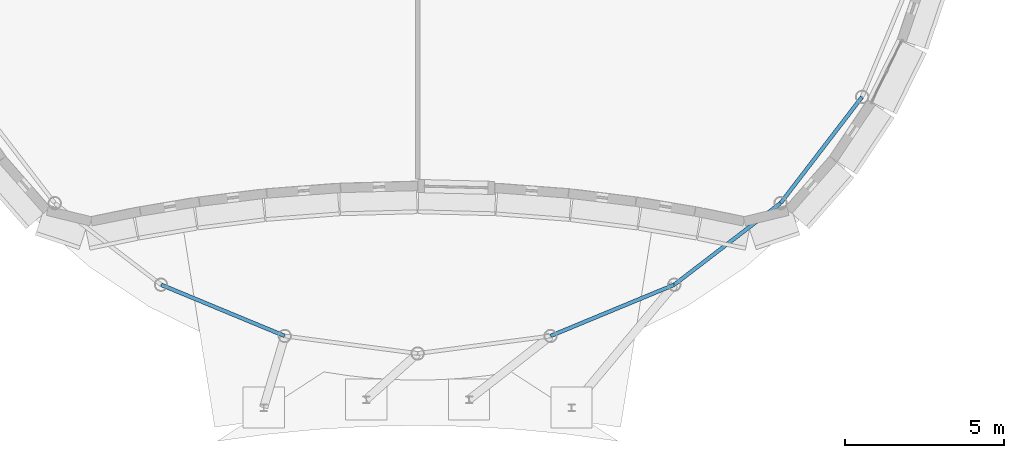
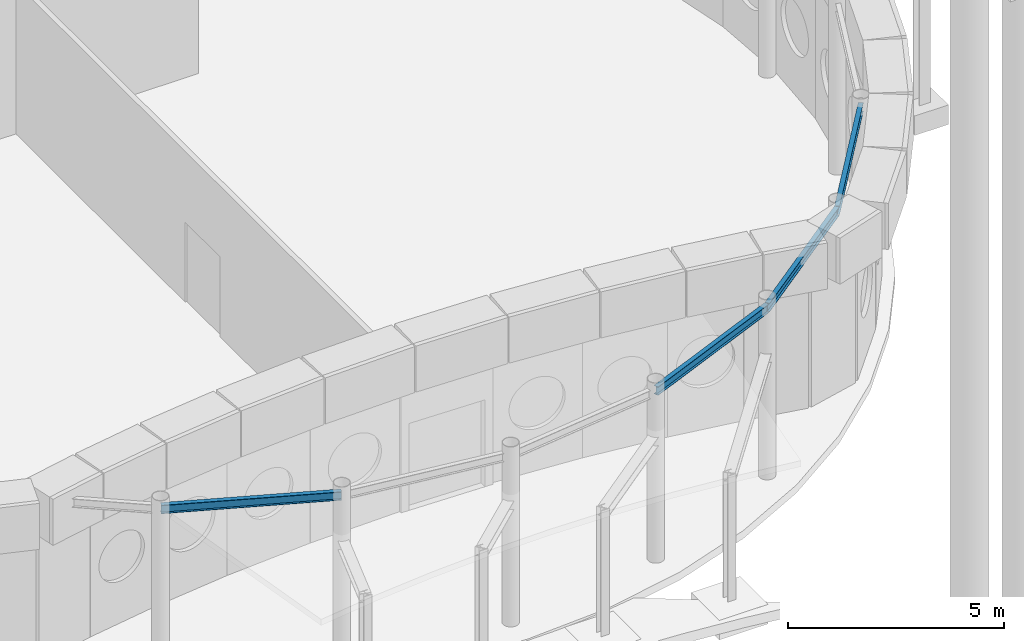
# One storey, part 38 of 109: 4 beams.
"""IFC4 building model written with IfcOpenShell, lengths in metres."""

from ifc_helpers import new_model, si_unit, direction, frame, origin, origin_2d, place, context, subcontext, project, spatial, i_section, extrude, material, material_profile, profile_set, type_object, element, save


model = new_model("IFC4")

# Units and contexts
model_context = context("Model", 3, precision=1e-05, world=origin(), true_north=direction((0.0, 1.0)))
body_context = subcontext(model_context, "Body", "Model", "MODEL_VIEW")
ifc_project = project(units=[si_unit("LENGTHUNIT", "METRE"), si_unit("AREAUNIT", "SQUARE_METRE"), si_unit("VOLUMEUNIT", "CUBIC_METRE"), si_unit("PLANEANGLEUNIT", "RADIAN"), si_unit("MASSUNIT", "GRAM", prefix="KILO")], contexts=[model_context])

# Site, building, storey
site_placement = place(None, origin())
site = spatial("IfcSite", under=ifc_project, at=site_placement, CompositionType="ELEMENT")
building_placement = place(site_placement, origin())
building = spatial("IfcBuilding", under=site, at=building_placement, Name="Montecoro Central Library", CompositionType="ELEMENT")
storey_placement = place(building_placement, origin())
storey = spatial("IfcBuildingStorey", under=building, at=storey_placement, Name="L00", CompositionType="ELEMENT", Elevation=0.0)

# Beams
ifc_material = material(Name="Steel S355", Category="steel")
ifc_material_profile = material_profile(ifc_material, i_section(OverallWidth=0.1201171875, OverallDepth=0.239990234375, WebThickness=0.006103515625, FlangeThickness=0.009765625, at=origin_2d()), Name="IPE 240")
ifc_profile_set = profile_set([ifc_material_profile], Name="Steel S355")
beam_type = type_object("IfcBeamType", Name="BM-SP-IPE240", PredefinedType="SPANDREL", material=ifc_profile_set)
beam_1_placement = place(storey_placement, frame((83.51904296875, 21.384033203125, 4.72509765625), z_axis=(0.923853323529, -0.382746700319, 0.0), x_axis=(0.382746700319, 0.923853323529, 0.0)))
element("IfcBeam", 1, at=beam_1_placement, inside=storey, type_object=beam_type, Name="V1-L00-RING-17", PredefinedType="SPANDREL", context=body_context, shape_type="SweptSolid", body=[
    extrude(i_section(OverallWidth=0.1201171875, OverallDepth=0.239990234375, WebThickness=0.006103515625, FlangeThickness=0.009765625, at=origin_2d()), origin(), (0.0, 0.0, 1.0), 4.2041015625),
])
beam_2_placement = place(storey_placement, frame((95.797119140625, 19.77490234375, 4.72509765625), z_axis=(0.923844815714, 0.382767235377, 0.0), x_axis=(-0.382767235377, 0.923844815714, 0.0)))
element("IfcBeam", 2, at=beam_2_placement, inside=storey, type_object=beam_type, Name="V1-L00-RING-20", PredefinedType="SPANDREL", context=body_context, shape_type="SweptSolid", body=[
    extrude(i_section(OverallWidth=0.1201171875, OverallDepth=0.239990234375, WebThickness=0.006103515625, FlangeThickness=0.009765625, at=origin_2d()), origin(), (0.0, 0.0, 1.0), 4.203857421875),
])
for number, where, z_axis, x_axis, name in (
    (3, (99.697998046875, 21.39404296875, 4.72509765625), (0.793372600918, 0.608736327249, 0.0), (-0.608736327249, 0.793372600918, 0.0), "V1-L00-RING-21"),
    (4, (103.047119140625, 23.967041015625, 4.72509765625), (0.608736327249, 0.793372600918, 0.0), (-0.793372600918, 0.608736327249, 0.0), "V1-L00-RING-22"),
):
    element("IfcBeam", number, at=place(storey_placement, frame(where, z_axis=z_axis, x_axis=x_axis)), inside=storey, type_object=beam_type, Name=name, PredefinedType="SPANDREL", context=body_context, shape_type="SweptSolid", body=[
        extrude(i_section(OverallWidth=0.1201171875, OverallDepth=0.239990234375, WebThickness=0.006103515625, FlangeThickness=0.009765625, at=origin_2d()), origin(), (0.0, 0.0, 1.0), 4.20361328125),
    ])

save(model, "model.ifc")
